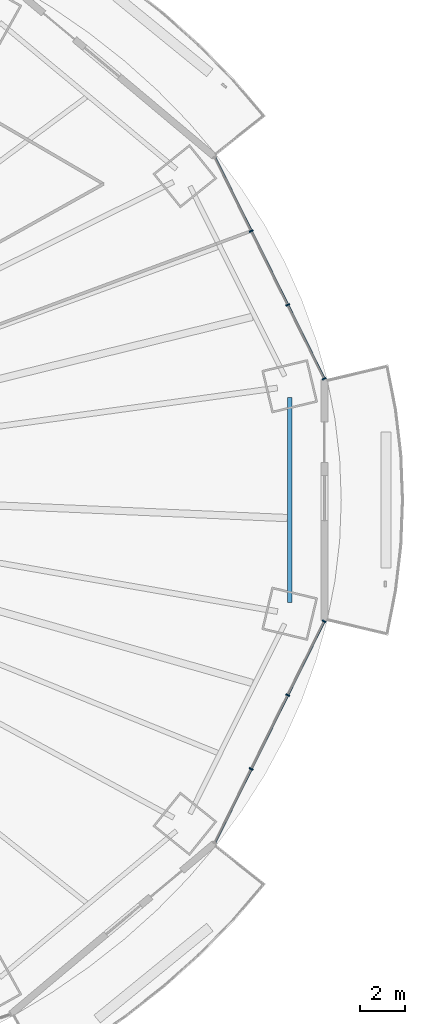
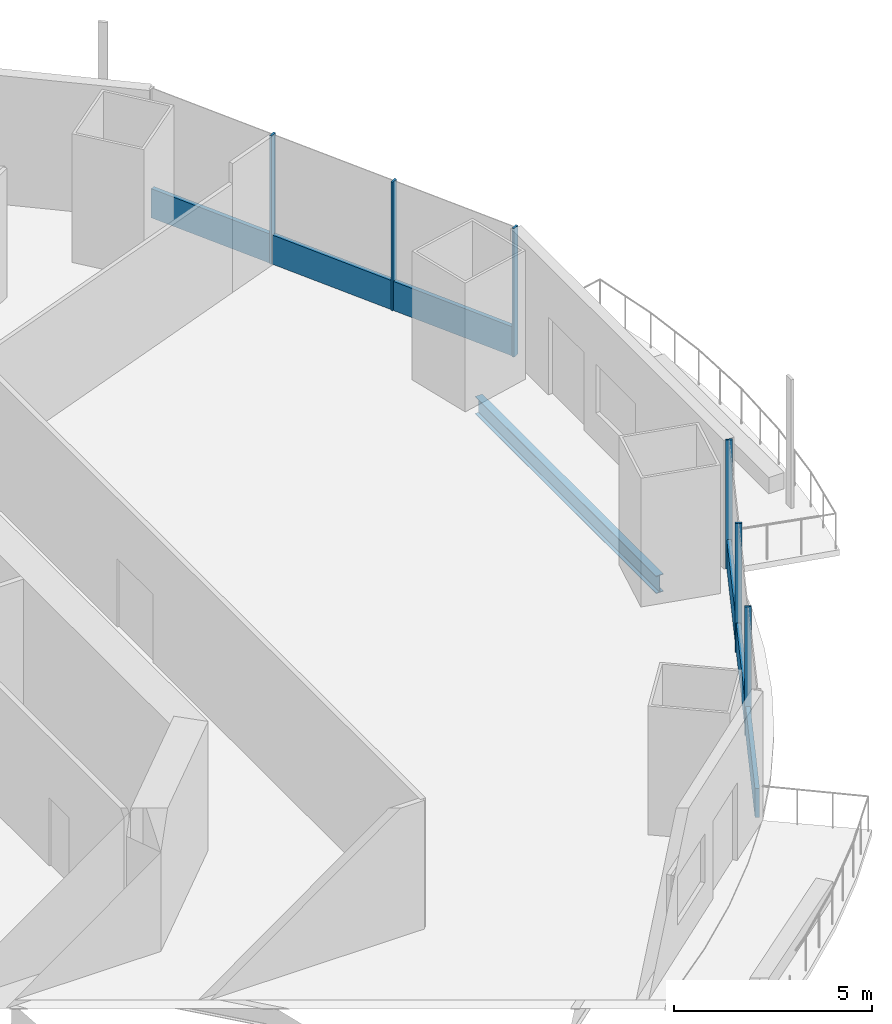
# One storey, part 10 of 21: 8 members, 1 beam, 2 elements without a shape of their own.
"""IFC4 building model written with IfcOpenShell, lengths in metres."""

import ifcopenshell
import ifcopenshell.guid

model = None  # the IFC model being written
_history = None  # IfcOwnerHistory: only IFC2X3 demands one
_inside = {}  # id of a spatial element -> (the spatial element, [elements in it])
_under = {}  # id of a project, library or spatial element -> (it, [spatial elements below it])
_declared = {}  # id of a project -> (the project, [libraries it declares])
_typed = {}  # id of a type object -> (the type object, [elements of that type])
_made_of = {}  # id of a material, layer set ... -> (it, [elements and type objects made of it])


def new_model(schema):
    """Start an empty IFC model of exactly this schema.

    Asked for "IFC4X3", IfcOpenShell would pick the latest addendum, in which some entities
    have other attributes; the version numbers below select the first issue.
    IFC2X3 requires an IfcOwnerHistory on every rooted entity: one is made here for all.
    """
    global model, _history
    if schema == "IFC4X3":
        model = ifcopenshell.file(schema_version=(4, 3, 0, 0))
    else:
        model = ifcopenshell.file(schema=schema)
    _inside.clear()
    _under.clear()
    _declared.clear()
    _typed.clear()
    _made_of.clear()
    _history = None
    if model.schema == "IFC2X3":
        org = make("IfcOrganization", Name="unknown")
        user = make(
            "IfcPersonAndOrganization",
            ThePerson=make("IfcPerson", FamilyName="unknown"),
            TheOrganization=org,
        )
        app = make(
            "IfcApplication",
            ApplicationDeveloper=org,
            Version="unknown",
            ApplicationFullName="unknown",
            ApplicationIdentifier="unknown",
        )
        _history = make(
            "IfcOwnerHistory",
            OwningUser=user,
            OwningApplication=app,
            ChangeAction="ADDED",
            CreationDate=0,
        )
    return model


def make(cls, **values):
    """One entity of the class cls with the attributes given. An attribute that is None is left unset."""
    return model.create_entity(
        cls, **{name: value for name, value in values.items() if value is not None}
    )


def rooted(cls, **values):
    """An entity with a GlobalId (a new one), such as an element, a storey or a relation."""
    return make(cls, GlobalId=ifcopenshell.guid.new(), OwnerHistory=_history, **values)


def si_unit(unit_type, name, prefix=None):
    """IfcSIUnit, for example si_unit("LENGTHUNIT", "METRE", prefix="MILLI")."""
    return make("IfcSIUnit", UnitType=unit_type, Prefix=prefix, Name=name)


def assignment(units):
    """IfcUnitAssignment: the units of a project."""
    return None if units is None else make("IfcUnitAssignment", Units=units)


def point(xyz):
    """IfcCartesianPoint."""
    return None if xyz is None else make("IfcCartesianPoint", Coordinates=xyz)


def direction(xyz):
    """IfcDirection."""
    return None if xyz is None else make("IfcDirection", DirectionRatios=xyz)


def frame(location, z_axis=None, x_axis=None):
    """IfcAxis2Placement3D, a coordinate frame: its origin and axes. An axis left out is left unset."""
    return make(
        "IfcAxis2Placement3D",
        Location=point(location),
        Axis=direction(z_axis),
        RefDirection=direction(x_axis),
    )


def frame_2d(location, x_axis=None):
    """IfcAxis2Placement2D, a coordinate frame in the plane: its origin and x axis."""
    return make(
        "IfcAxis2Placement2D", Location=point(location), RefDirection=direction(x_axis)
    )


def origin():
    """The frame at (0, 0, 0) with its axes left unset."""
    return frame((0.0, 0.0, 0.0))


def origin_2d():
    """The frame at (0, 0) in the plane with its x axis left unset."""
    return frame_2d((0.0, 0.0))


def place(relative_to, where):
    """IfcLocalPlacement: puts the frame where relative to a parent placement (None: the world)."""
    return make(
        "IfcLocalPlacement", PlacementRelTo=relative_to, RelativePlacement=where
    )


def context(
    kind, dimensions, precision=None, world=None, true_north=None, identifier=None
):
    """IfcGeometricRepresentationContext, for example the 3D "Model" context."""
    return make(
        "IfcGeometricRepresentationContext",
        ContextIdentifier=identifier,
        ContextType=kind,
        CoordinateSpaceDimension=dimensions,
        Precision=precision,
        WorldCoordinateSystem=world,
        TrueNorth=true_north,
    )


def subcontext(parent, identifier, kind, view, scale=None):
    """IfcGeometricRepresentationSubContext, for example "Body" below "Model"."""
    return make(
        "IfcGeometricRepresentationSubContext",
        ContextIdentifier=identifier,
        ContextType=kind,
        ParentContext=parent,
        TargetScale=scale,
        TargetView=view,
    )


def project(units=None, contexts=None):
    """IfcProject with its units and contexts."""
    return rooted(
        "IfcProject",
        Name="project",
        RepresentationContexts=contexts,
        UnitsInContext=assignment(units),
    )


def spatial(cls, under=None, at=None, **own):
    """A site, building, storey or space (cls), placed at a placement, below another one or the project."""
    s = rooted(cls, ObjectPlacement=at, **own)
    if under is not None:
        _under.setdefault(under.id(), (under, []))[1].append(s)
    return s


def profile(cls, at=None, kind="AREA", **sizes):
    """A parametric profile (cls). Its sizes go by their IFC names, for example OverallWidth=200.0."""
    return make(cls, ProfileType=kind, Position=at, **sizes)


def rectangle(**sizes):
    """IfcRectangleProfileDef."""
    return profile("IfcRectangleProfileDef", **sizes)


def i_section(**sizes):
    """IfcIShapeProfileDef."""
    return profile("IfcIShapeProfileDef", **sizes)


def extrude(swept, where, along, depth):
    """IfcExtrudedAreaSolid: the profile swept, set in the frame where, extruded along a direction by depth."""
    return make(
        "IfcExtrudedAreaSolid",
        SweptArea=swept,
        Position=where,
        ExtrudedDirection=direction(along),
        Depth=depth,
    )


def shape(context_of_items, identifier, shape_type, items):
    """IfcShapeRepresentation: the items that make up one representation, for example the "Body"."""
    return make(
        "IfcShapeRepresentation",
        ContextOfItems=context_of_items,
        RepresentationIdentifier=identifier,
        RepresentationType=shape_type,
        Items=items,
    )


def material(Name=None, Category=None):
    """IfcMaterial."""
    return make("IfcMaterial", Name=Name, Category=Category)


def material_profile(
    of_material, cross_section, Name=None, Category=None, Priority=None
):
    """IfcMaterialProfile: a cross section and its material."""
    return make(
        "IfcMaterialProfile",
        Name=Name,
        Material=of_material,
        Profile=cross_section,
        Priority=Priority,
        Category=Category,
    )


def profile_set(profiles, Name=None, composite=None):
    """IfcMaterialProfileSet."""
    return make(
        "IfcMaterialProfileSet",
        Name=Name,
        MaterialProfiles=profiles,
        CompositeProfile=composite,
    )


def made_of(thing, what):
    """Note that an element or type object is made of a material, layer set ...; save() writes the relation."""
    if what is not None:
        _made_of.setdefault(what.id(), (what, []))[1].append(thing)
    return thing


def type_object(cls, material=None, **own):
    """A type object (cls), such as IfcWallType, which elements share."""
    return made_of(rooted(cls, **own), material)


def element(
    cls,
    number,
    at=None,
    inside=None,
    cuts=None,
    type_object=None,
    material=None,
    context=None,
    identifier="Body",
    shape_type=None,
    held_by="IfcProductDefinitionShape",
    body=None,
    shapes=None,
    **own,
):
    """One element of the class cls, such as IfcWall. Its Tag is "e" and its number.

    at: its placement. inside: the storey or other place that contains it. cuts: it is an
    opening in that element (IfcRelVoidsElement). A single representation is given by context,
    identifier, shape_type and body (its items); several are given by shapes. held_by: the class
    of the entity that holds the representations. save() writes the other relations.
    """
    e = rooted(cls, Tag="e%d" % number, ObjectPlacement=at, **own)
    if body is not None:
        shapes = [shape(context, identifier, shape_type, body)]
    if shapes is not None:
        e.Representation = make(held_by, Representations=shapes)
    if inside is not None:
        _inside.setdefault(inside.id(), (inside, []))[1].append(e)
    if cuts is not None:
        rooted(
            "IfcRelVoidsElement", RelatingBuildingElement=cuts, RelatedOpeningElement=e
        )
    if type_object is not None:
        _typed.setdefault(type_object.id(), (type_object, []))[1].append(e)
    return made_of(e, material)


def aggregate(whole, parts):
    """IfcRelAggregates: a whole, such as a stair, and the parts it consists of."""
    return rooted("IfcRelAggregates", RelatingObject=whole, RelatedObjects=parts)


def save(model, path):
    """Write the relations noted so far, then the file.

    IfcRelAggregates (storeys below a building ...), IfcRelContainedInSpatialStructure (elements
    in a storey), IfcRelDefinesByType, IfcRelAssociatesMaterial and IfcRelDeclares: one each for
    every whole, place, type object, material and project.
    """
    for whole, parts in _under.values():
        aggregate(whole, parts)
    for where, things in _inside.values():
        rooted(
            "IfcRelContainedInSpatialStructure",
            RelatedElements=things,
            RelatingStructure=where,
        )
    for kind, things in _typed.values():
        rooted("IfcRelDefinesByType", RelatedObjects=things, RelatingType=kind)
    for what, things in _made_of.values():
        rooted("IfcRelAssociatesMaterial", RelatedObjects=things, RelatingMaterial=what)
    for by, libraries in _declared.values():
        rooted("IfcRelDeclares", RelatingContext=by, RelatedDefinitions=libraries)
    model.write(path)


model = new_model("IFC4")

# Units and contexts
model_context = context("Model", 3, precision=1e-05, world=origin(), true_north=direction((0.0, 1.0)))
body_context = subcontext(model_context, "Body", "Model", "MODEL_VIEW")
ifc_project = project(units=[si_unit("LENGTHUNIT", "METRE"), si_unit("AREAUNIT", "SQUARE_METRE"), si_unit("VOLUMEUNIT", "CUBIC_METRE"), si_unit("PLANEANGLEUNIT", "RADIAN"), si_unit("MASSUNIT", "GRAM", prefix="KILO")], contexts=[model_context])

# Site, building, storey
site_placement = place(None, origin())
site = spatial("IfcSite", under=ifc_project, at=site_placement, CompositionType="ELEMENT")
building_placement = place(site_placement, origin())
building = spatial("IfcBuilding", under=site, at=building_placement, Name="Marenthal Gate Tower", CompositionType="ELEMENT")
storey_placement = place(building_placement, frame((0.0, 0.0, 165.199951171875)))
storey = spatial("IfcBuildingStorey", under=building, at=storey_placement, Name="L35", CompositionType="ELEMENT", Elevation=165.199951171875)

# Curtain wall, members
ifc_material_1 = material(Name="Aluminium and glass", Category="aluminium")
curtain_wall_type = type_object("IfcCurtainWallType", Name="Curtain wall typical mid", PredefinedType="NOTDEFINED", material=ifc_material_1)
curtain_wall_1_placement = place(storey_placement, origin())
curtain_wall_1 = element("IfcCurtainWall", 1, at=curtain_wall_1_placement, inside=storey, type_object=curtain_wall_type, Name="Curtain wall L35 bay 1", PredefinedType="NOTDEFINED")
ifc_material_2 = material(Name="Aluminium", Category="aluminium")
ifc_material_profile_1 = material_profile(ifc_material_2, rectangle(XDim=0.179931640625, YDim=0.06005859375, at=origin_2d()), Name="60x180 aluminium mullion")
ifc_profile_set_1 = profile_set([ifc_material_profile_1], Name="Aluminium")
member_type_1 = type_object("IfcMemberType", Name="Mullion 60x180 typical mid", PredefinedType="MULLION", material=ifc_profile_set_1)
member_1_placement = place(storey_placement, frame((34.0537109375, 4.809814453125, 0.0), z_axis=(0.0, 0.0, 1.0), x_axis=(-0.896608747182, -0.442823615536, 0.0)))
member_1 = element("IfcMember", 2, at=member_1_placement, type_object=member_type_1, Name="Mullion L35 bay 1.1", PredefinedType="MULLION", context=body_context, shape_type="SweptSolid", body=[
    extrude(rectangle(XDim=0.179931640625, YDim=0.06005859375, at=origin_2d()), origin(), (0.0, 0.0, 1.0), 3.969970703125),
])
member_2_placement = place(storey_placement, frame((32.425048828125, 8.107421875, 0.0), z_axis=(0.0, 0.0, 1.0), x_axis=(-0.896608747182, -0.442823615536, 0.0)))
member_2 = element("IfcMember", 3, at=member_2_placement, type_object=member_type_1, Name="Mullion L35 bay 1.2", PredefinedType="MULLION", context=body_context, shape_type="SweptSolid", body=[
    extrude(rectangle(XDim=0.179931640625, YDim=0.06005859375, at=origin_2d()), origin(), (0.0, 0.0, 1.0), 3.969970703125),
])
member_3_placement = place(storey_placement, frame((30.79638671875, 11.40478515625, 0.0), z_axis=(0.0, 0.0, 1.0), x_axis=(-0.896608747182, -0.442823615536, 0.0)))
member_3 = element("IfcMember", 4, at=member_3_placement, type_object=member_type_1, Name="Mullion L35 bay 1.3", PredefinedType="MULLION", context=body_context, shape_type="SweptSolid", body=[
    extrude(rectangle(XDim=0.179931640625, YDim=0.06005859375, at=origin_2d()), origin(), (0.0, 0.0, 1.0), 3.969970703125),
])

curtain_wall_2_placement = place(storey_placement, origin())
curtain_wall_2 = element("IfcCurtainWall", 5, at=curtain_wall_2_placement, inside=storey, type_object=curtain_wall_type, Name="Curtain wall L35 bay 15", PredefinedType="NOTDEFINED")
member_4_placement = place(storey_placement, frame((30.79638671875, -12.604736328125, 0.0), z_axis=(0.0, 0.0, 1.0), x_axis=(-0.896608747182, 0.442823615536, 0.0)))
member_4 = element("IfcMember", 6, at=member_4_placement, type_object=member_type_1, Name="Mullion L35 bay 15.2", PredefinedType="MULLION", context=body_context, shape_type="SweptSolid", body=[
    extrude(rectangle(XDim=0.179931640625, YDim=0.06005859375, at=origin_2d()), origin(), (0.0, 0.0, 1.0), 3.969970703125),
])
member_5_placement = place(storey_placement, frame((32.425048828125, -9.307373046875, 0.0), z_axis=(0.0, 0.0, 1.0), x_axis=(-0.896608747182, 0.442823615536, 0.0)))
member_5 = element("IfcMember", 7, at=member_5_placement, type_object=member_type_1, Name="Mullion L35 bay 15.3", PredefinedType="MULLION", context=body_context, shape_type="SweptSolid", body=[
    extrude(rectangle(XDim=0.179931640625, YDim=0.06005859375, at=origin_2d()), origin(), (0.0, 0.0, 1.0), 3.969970703125),
])
member_6_placement = place(storey_placement, frame((34.0537109375, -6.009765625, 0.0), z_axis=(0.0, 0.0, 1.0), x_axis=(-0.896608747182, 0.442823615536, 0.0)))
member_6 = element("IfcMember", 8, at=member_6_placement, type_object=member_type_1, Name="Mullion L35 bay 15.4", PredefinedType="MULLION", context=body_context, shape_type="SweptSolid", body=[
    extrude(rectangle(XDim=0.179931640625, YDim=0.06005859375, at=origin_2d()), origin(), (0.0, 0.0, 1.0), 3.969970703125),
])

# Member
ifc_material_3 = material(Name="Aluminium", Category="aluminium")
ifc_material_profile_2 = material_profile(ifc_material_3, rectangle(XDim=0.1201171875, YDim=0.89990234375, at=origin_2d()), Name="120x900 aluminium transom")
ifc_profile_set_2 = profile_set([ifc_material_profile_2], Name="Aluminium")
member_type_2 = type_object("IfcMemberType", Name="Transom 120x900 typical mid", PredefinedType="USERDEFINED", material=ifc_profile_set_2)
member_7_placement = place(storey_placement, frame((34.040283203125, 4.836669921875, 0.449951171875), z_axis=(-0.442811889728, 0.896614538314, 0.0), x_axis=(-0.896614538314, -0.442811889728, 0.0)))
member_7 = element("IfcMember", 9, at=member_7_placement, type_object=member_type_2, Name="Transom L35 bay 1", ObjectType="TRANSOM", PredefinedType="USERDEFINED", context=body_context, shape_type="SweptSolid", body=[
    extrude(rectangle(XDim=0.1201171875, YDim=0.89990234375, at=origin_2d()), origin(), (0.0, 0.0, 1.0), 10.973388671875),
])

aggregate(curtain_wall_1, [member_1, member_2, member_3, member_7])

member_8_placement = place(storey_placement, frame((29.18115234375, -15.87548828125, 0.449951171875), z_axis=(0.442811889728, 0.896614538314, 0.0), x_axis=(-0.896614538314, 0.442811889728, 0.0)))
member_8 = element("IfcMember", 10, at=member_8_placement, type_object=member_type_2, Name="Transom L35 bay 15", ObjectType="TRANSOM", PredefinedType="USERDEFINED", context=body_context, shape_type="SweptSolid", body=[
    extrude(rectangle(XDim=0.1201171875, YDim=0.89990234375, at=origin_2d()), origin(), (0.0, 0.0, 1.0), 10.973388671875),
])

aggregate(curtain_wall_2, [member_4, member_5, member_6, member_8])

# Beam
ifc_material_4 = material(Name="Steel S355", Category="steel")
ifc_material_profile_3 = material_profile(ifc_material_4, i_section(OverallWidth=0.2119140625, OverallDepth=0.5439453125, WebThickness=0.01318359375, FlangeThickness=0.021240234375, FilletRadius=0.0126953125, at=origin_2d()), Name="W530X123")
ifc_profile_set_3 = profile_set([ifc_material_profile_3], Name="Steel S355")
beam_type = type_object("IfcBeamType", Name="W530X123 beam", PredefinedType="BEAM", material=ifc_profile_set_3)
beam_placement = place(storey_placement, frame((32.51708984375, -5.172119140625, -0.451904296875), z_axis=(0.0, 1.0, 0.0), x_axis=(-1.0, 0.0, 0.0)))
element("IfcBeam", 11, at=beam_placement, inside=storey, type_object=beam_type, Name="BM-L35-56", PredefinedType="BEAM", context=body_context, shape_type="SweptSolid", body=[
    extrude(i_section(OverallWidth=0.2119140625, OverallDepth=0.5439453125, WebThickness=0.01318359375, FlangeThickness=0.021240234375, FilletRadius=0.0126953125, at=origin_2d()), origin(), (0.0, 0.0, 1.0), 9.144287109375),
])

save(model, "model.ifc")
